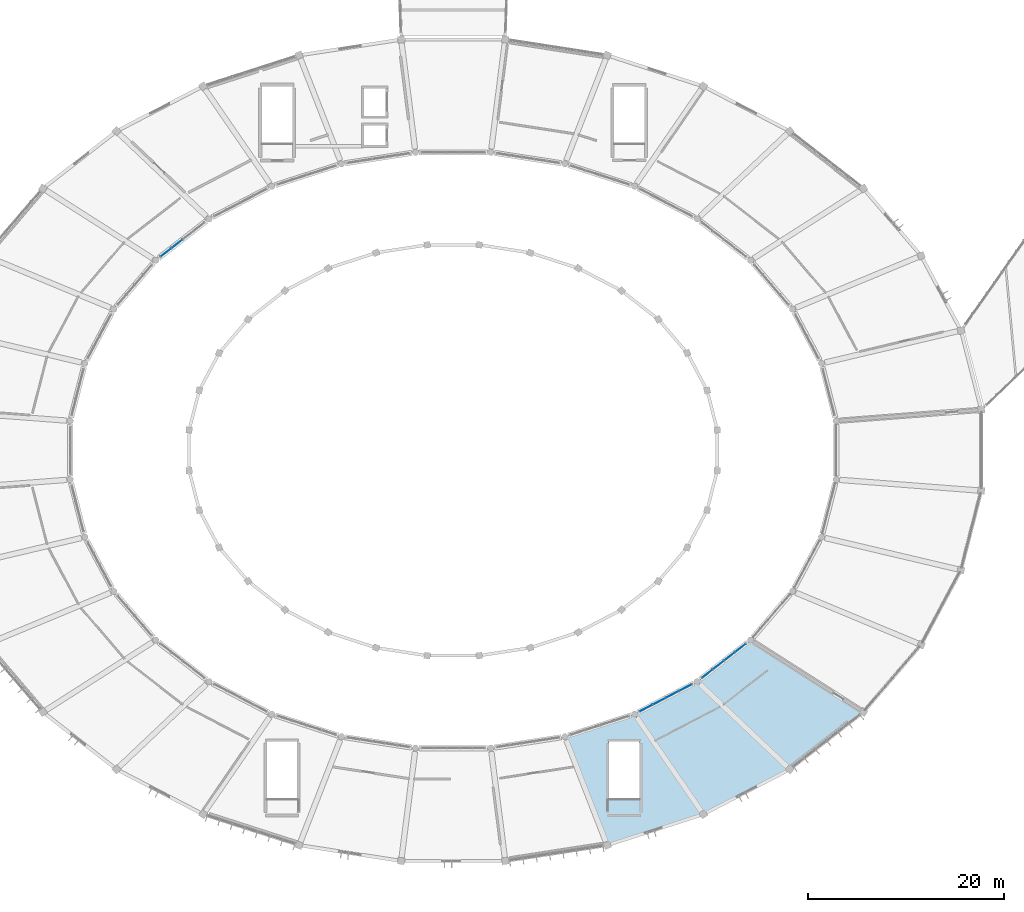
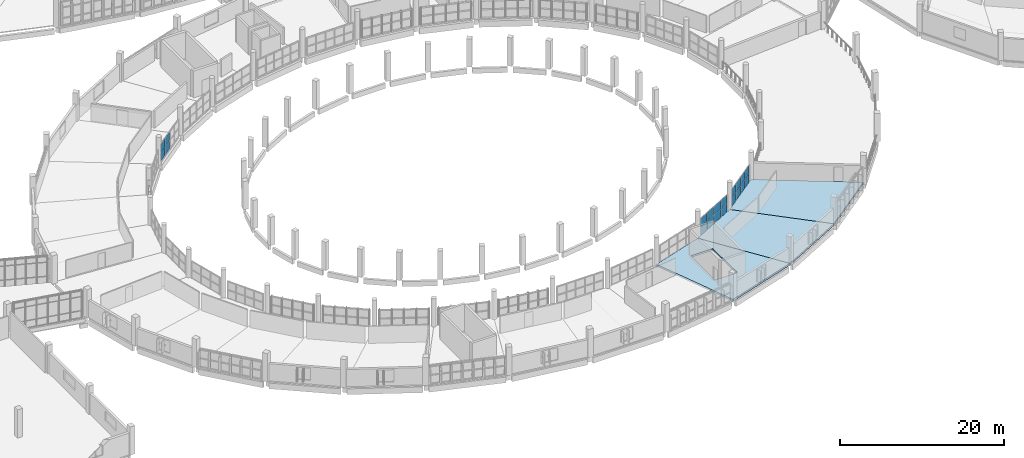
# One storey, part 77 of 142: 20 plates, 3 slabs, 3 elements without a shape of their own.
"""IFC4 building model written with IfcOpenShell, lengths in metres."""

from ifc_helpers import new_model, si_unit, direction, frame, origin, origin_2d, place, context, subcontext, project, spatial, polyline, rectangle, outline, extrude, material, layer, layer_set, type_object, element, aggregate, save


model = new_model("IFC4")

# Units and contexts
model_context = context("Model", 3, precision=1e-05, world=origin(), true_north=direction((0.0, 1.0)))
body_context = subcontext(model_context, "Body", "Model", "MODEL_VIEW")
ifc_project = project(units=[si_unit("LENGTHUNIT", "METRE"), si_unit("AREAUNIT", "SQUARE_METRE"), si_unit("VOLUMEUNIT", "CUBIC_METRE"), si_unit("PLANEANGLEUNIT", "RADIAN"), si_unit("MASSUNIT", "GRAM", prefix="KILO")], contexts=[model_context])

# Site, building, storey
site_placement = place(None, origin())
site = spatial("IfcSite", under=ifc_project, at=site_placement, CompositionType="ELEMENT")
building_placement = place(site_placement, origin())
building = spatial("IfcBuilding", under=site, at=building_placement, Name="Corvandel Quay Wholesale Market", CompositionType="ELEMENT")
storey_placement = place(building_placement, frame((0.0, 0.0, 10.800048828125)))
storey = spatial("IfcBuildingStorey", under=building, at=storey_placement, Name="L02", CompositionType="ELEMENT", Elevation=10.800048828125)

# Slabs
ifc_material_1 = material(Name="Concrete C40/50", Category="concrete")
ifc_layer_1 = layer(ifc_material_1, 0.280029296875)
ifc_layer_set_1 = layer_set([ifc_layer_1], Name="Concrete C40/50")
slab_type = type_object("IfcSlabType", Name="Composite Sorting Gallery Floor Slab 280", PredefinedType="FLOOR", material=ifc_layer_set_1)
slab_1_placement = place(storey_placement, frame((0.0, 0.0, -0.280029296875)))
element("IfcSlab", 1, at=slab_1_placement, inside=storey, type_object=slab_type, Name="Slab SLB-0121", PredefinedType="FLOOR", context=body_context, shape_type="SweptSolid", body=[
    extrude(outline(polyline([(125.419921875, 12.719970703125), (132.5439453125, 15.01611328125), (139.5791015625, 4.780029296875), (129.7509765625, 1.614013671875), (125.419921875, 12.719970703125)]), holes=[polyline([(133.050048828125, 12.199951171875), (129.949951171875, 12.199951171875), (129.949951171875, 6.300048828125), (133.050048828125, 6.300048828125), (133.050048828125, 12.199951171875)])]), origin(), (0.0, 0.0, 1.0), 0.280029296875),
])
slab_2_placement = place(storey_placement, frame((0.0, 0.0, -0.280029296875)))
element("IfcSlab", 2, at=slab_2_placement, inside=storey, type_object=slab_type, Name="Slab SLB-0125", PredefinedType="FLOOR", context=body_context, shape_type="SweptSolid", body=[
    extrude(outline(polyline([(132.5439453125, 15.01611328125), (138.95703125, 18.347900390625), (148.423095703125, 9.3759765625), (139.5791015625, 4.780029296875), (132.5439453125, 15.01611328125)])), origin(), (0.0, 0.0, 1.0), 0.280029296875),
])
slab_3_placement = place(storey_placement, frame((0.0, 0.0, -0.280029296875)))
element("IfcSlab", 3, at=slab_3_placement, inside=storey, type_object=slab_type, Name="Slab SLB-0129", PredefinedType="FLOOR", context=body_context, shape_type="SweptSolid", body=[
    extrude(outline(polyline([(138.95703125, 18.347900390625), (144.409912109375, 22.589111328125), (155.945068359375, 15.22705078125), (148.423095703125, 9.3759765625), (138.95703125, 18.347900390625)])), origin(), (0.0, 0.0, 1.0), 0.280029296875),
])

# Curtain wall, plates
ifc_material_2 = material(Name="Bronze anodised aluminium and low-E insulated glazing", Category="aluminium")
ifc_layer_2 = layer(ifc_material_2, 0.14990234375)
ifc_layer_set_2 = layer_set([ifc_layer_2], Name="Bronze anodised aluminium and low-E insulated glazing")
curtain_wall_type_1 = type_object("IfcCurtainWallType", Name="Stick Curtain Wall System CW05 H3450", PredefinedType="NOTDEFINED", material=ifc_layer_set_2)
curtain_wall_1_placement = place(storey_placement, origin())
curtain_wall_1 = element("IfcCurtainWall", 4, at=curtain_wall_1_placement, inside=storey, type_object=curtain_wall_type_1, Name="Curtain Wall CW-0035", PredefinedType="NOTDEFINED")
ifc_material_3 = material(Name="Solar-control low-E insulated glazing", Category="glass")
ifc_layer_3 = layer(ifc_material_3, 0.028076171875)
ifc_layer_set_3 = layer_set([ifc_layer_3], Name="Solar-control low-E insulated glazing")
plate_type = type_object("IfcPlateType", Name="Double Low-E Vision Panel PN01 28mm", PredefinedType="CURTAIN_PANEL", material=ifc_layer_set_3)
plate_1_placement = place(storey_placement, frame((85.75341796875, 63.093505859375, 0.02978515625), z_axis=(0.0, 0.0, 1.0), x_axis=(0.789405615633, 0.613871952452, 0.0)))
plate_1 = element("IfcPlate", 5, at=plate_1_placement, type_object=plate_type, Name="Glazing Panel CW-0035-P02-0", PredefinedType="CURTAIN_PANEL", context=body_context, shape_type="SweptSolid", body=[
    extrude(rectangle(XDim=1.362060546875, YDim=0.028076171875, at=origin_2d()), origin(), (0.0, 0.0, 1.0), 1.215087890625),
])
plate_2_placement = place(storey_placement, frame((85.75341796875, 63.093505859375, 1.3046875), z_axis=(0.0, 0.0, 1.0), x_axis=(0.789405615633, 0.613871952452, 0.0)))
plate_2 = element("IfcPlate", 6, at=plate_2_placement, type_object=plate_type, Name="Glazing Panel CW-0035-P02-1", PredefinedType="CURTAIN_PANEL", context=body_context, shape_type="SweptSolid", body=[
    extrude(rectangle(XDim=1.362060546875, YDim=0.028076171875, at=origin_2d()), origin(), (0.0, 0.0, 1.0), 1.215087890625),
])
plate_3_placement = place(storey_placement, frame((84.626708984375, 62.21728515625, 0.02978515625), z_axis=(0.0, 0.0, 1.0), x_axis=(0.789405615633, 0.613871952452, 0.0)))
plate_3 = element("IfcPlate", 7, at=plate_3_placement, type_object=plate_type, Name="Glazing Panel CW-0035-P03-0", PredefinedType="CURTAIN_PANEL", context=body_context, shape_type="SweptSolid", body=[
    extrude(rectangle(XDim=1.362060546875, YDim=0.028076171875, at=origin_2d()), origin(), (0.0, 0.0, 1.0), 1.215087890625),
])
plate_4_placement = place(storey_placement, frame((84.626708984375, 62.21728515625, 1.3046875), z_axis=(0.0, 0.0, 1.0), x_axis=(0.789405615633, 0.613871952452, 0.0)))
plate_4 = element("IfcPlate", 8, at=plate_4_placement, type_object=plate_type, Name="Glazing Panel CW-0035-P03-1", PredefinedType="CURTAIN_PANEL", context=body_context, shape_type="SweptSolid", body=[
    extrude(rectangle(XDim=1.362060546875, YDim=0.028076171875, at=origin_2d()), origin(), (0.0, 0.0, 1.0), 1.215087890625),
])
aggregate(curtain_wall_1, [plate_1, plate_2, plate_3, plate_4])

ifc_layer_4 = layer(ifc_material_2, 0.14990234375)
ifc_layer_set_4 = layer_set([ifc_layer_4], Name="Bronze anodised aluminium and low-E insulated glazing")
curtain_wall_type_2 = type_object("IfcCurtainWallType", Name="Stick Curtain Wall System CW20 H4800", PredefinedType="NOTDEFINED", material=ifc_layer_set_4)
curtain_wall_2_placement = place(storey_placement, origin())
curtain_wall_2 = element("IfcCurtainWall", 9, at=curtain_wall_2_placement, inside=storey, type_object=curtain_wall_type_2, Name="Curtain Wall CW-0080", PredefinedType="NOTDEFINED")
plate_5_placement = place(storey_placement, frame((133.744873046875, 15.639892578125, 0.02978515625), z_axis=(0.0, 0.0, 1.0), x_axis=(0.887332978338, 0.461129250378, 0.0)))
plate_5 = element("IfcPlate", 10, at=plate_5_placement, type_object=plate_type, Name="Glazing Panel CW-0080-P00-0", PredefinedType="CURTAIN_PANEL", context=body_context, shape_type="SweptSolid", body=[
    extrude(rectangle(XDim=1.44189453125, YDim=0.028076171875, at=origin_2d()), origin(), (0.0, 0.0, 1.0), 1.215087890625),
])
plate_6_placement = place(storey_placement, frame((133.744873046875, 15.639892578125, 1.3046875), z_axis=(0.0, 0.0, 1.0), x_axis=(0.887332978338, 0.461129250378, 0.0)))
plate_6 = element("IfcPlate", 11, at=plate_6_placement, type_object=plate_type, Name="Glazing Panel CW-0080-P00-1", PredefinedType="CURTAIN_PANEL", context=body_context, shape_type="SweptSolid", body=[
    extrude(rectangle(XDim=1.44189453125, YDim=0.028076171875, at=origin_2d()), origin(), (0.0, 0.0, 1.0), 1.215087890625),
])
plate_7_placement = place(storey_placement, frame((135.08203125, 16.334716796875, 0.02978515625), z_axis=(0.0, 0.0, 1.0), x_axis=(0.887332978338, 0.461129250378, 0.0)))
plate_7 = element("IfcPlate", 12, at=plate_7_placement, type_object=plate_type, Name="Glazing Panel CW-0080-P01-0", PredefinedType="CURTAIN_PANEL", context=body_context, shape_type="SweptSolid", body=[
    extrude(rectangle(XDim=1.44189453125, YDim=0.028076171875, at=origin_2d()), origin(), (0.0, 0.0, 1.0), 1.215087890625),
])
plate_8_placement = place(storey_placement, frame((135.08203125, 16.334716796875, 1.3046875), z_axis=(0.0, 0.0, 1.0), x_axis=(0.887332978338, 0.461129250378, 0.0)))
plate_8 = element("IfcPlate", 13, at=plate_8_placement, type_object=plate_type, Name="Glazing Panel CW-0080-P01-1", PredefinedType="CURTAIN_PANEL", context=body_context, shape_type="SweptSolid", body=[
    extrude(rectangle(XDim=1.44189453125, YDim=0.028076171875, at=origin_2d()), origin(), (0.0, 0.0, 1.0), 1.215087890625),
])
plate_9_placement = place(storey_placement, frame((136.4189453125, 17.029296875, 0.02978515625), z_axis=(0.0, 0.0, 1.0), x_axis=(0.887332978338, 0.461129250378, 0.0)))
plate_9 = element("IfcPlate", 14, at=plate_9_placement, type_object=plate_type, Name="Glazing Panel CW-0080-P02-0", PredefinedType="CURTAIN_PANEL", context=body_context, shape_type="SweptSolid", body=[
    extrude(rectangle(XDim=1.44189453125, YDim=0.028076171875, at=origin_2d()), origin(), (0.0, 0.0, 1.0), 1.215087890625),
])
plate_10_placement = place(storey_placement, frame((136.4189453125, 17.029296875, 1.3046875), z_axis=(0.0, 0.0, 1.0), x_axis=(0.887332978338, 0.461129250378, 0.0)))
plate_10 = element("IfcPlate", 15, at=plate_10_placement, type_object=plate_type, Name="Glazing Panel CW-0080-P02-1", PredefinedType="CURTAIN_PANEL", context=body_context, shape_type="SweptSolid", body=[
    extrude(rectangle(XDim=1.44189453125, YDim=0.028076171875, at=origin_2d()), origin(), (0.0, 0.0, 1.0), 1.215087890625),
])
plate_11_placement = place(storey_placement, frame((137.756103515625, 17.72412109375, 0.02978515625), z_axis=(0.0, 0.0, 1.0), x_axis=(0.887332978338, 0.461129250378, 0.0)))
plate_11 = element("IfcPlate", 16, at=plate_11_placement, type_object=plate_type, Name="Glazing Panel CW-0080-P03-0", PredefinedType="CURTAIN_PANEL", context=body_context, shape_type="SweptSolid", body=[
    extrude(rectangle(XDim=1.44189453125, YDim=0.028076171875, at=origin_2d()), origin(), (0.0, 0.0, 1.0), 1.215087890625),
])
plate_12_placement = place(storey_placement, frame((137.756103515625, 17.72412109375, 1.3046875), z_axis=(0.0, 0.0, 1.0), x_axis=(0.887332978338, 0.461129250378, 0.0)))
plate_12 = element("IfcPlate", 17, at=plate_12_placement, type_object=plate_type, Name="Glazing Panel CW-0080-P03-1", PredefinedType="CURTAIN_PANEL", context=body_context, shape_type="SweptSolid", body=[
    extrude(rectangle(XDim=1.44189453125, YDim=0.028076171875, at=origin_2d()), origin(), (0.0, 0.0, 1.0), 1.215087890625),
])
aggregate(curtain_wall_2, [plate_5, plate_6, plate_7, plate_8, plate_9, plate_10, plate_11, plate_12])

ifc_layer_5 = layer(ifc_material_2, 0.162109375)
ifc_layer_set_5 = layer_set([ifc_layer_5], Name="Bronze anodised aluminium and low-E insulated glazing")
curtain_wall_type_3 = type_object("IfcCurtainWallType", Name="Stick Curtain Wall System CW21 H4890", PredefinedType="NOTDEFINED", material=ifc_layer_set_5)
curtain_wall_3_placement = place(storey_placement, origin())
curtain_wall_3 = element("IfcCurtainWall", 18, at=curtain_wall_3_placement, inside=storey, type_object=curtain_wall_type_3, Name="Curtain Wall CW-0083", PredefinedType="NOTDEFINED")
plate_13_placement = place(storey_placement, frame((139.993896484375, 19.154296875, 0.02978515625), z_axis=(0.0, 0.0, 1.0), x_axis=(0.789405615633, 0.613871952452, 0.0)))
plate_13 = element("IfcPlate", 19, at=plate_13_placement, type_object=plate_type, Name="Glazing Panel CW-0083-P00-0", PredefinedType="CURTAIN_PANEL", context=body_context, shape_type="SweptSolid", body=[
    extrude(rectangle(XDim=1.362060546875, YDim=0.028076171875, at=origin_2d()), origin(), (0.0, 0.0, 1.0), 1.215087890625),
])
plate_14_placement = place(storey_placement, frame((139.993896484375, 19.154296875, 1.3046875), z_axis=(0.0, 0.0, 1.0), x_axis=(0.789405615633, 0.613871952452, 0.0)))
plate_14 = element("IfcPlate", 20, at=plate_14_placement, type_object=plate_type, Name="Glazing Panel CW-0083-P00-1", PredefinedType="CURTAIN_PANEL", context=body_context, shape_type="SweptSolid", body=[
    extrude(rectangle(XDim=1.362060546875, YDim=0.028076171875, at=origin_2d()), origin(), (0.0, 0.0, 1.0), 1.215087890625),
])
plate_15_placement = place(storey_placement, frame((141.120361328125, 20.030517578125, 0.02978515625), z_axis=(0.0, 0.0, 1.0), x_axis=(0.789405615633, 0.613871952452, 0.0)))
plate_15 = element("IfcPlate", 21, at=plate_15_placement, type_object=plate_type, Name="Glazing Panel CW-0083-P01-0", PredefinedType="CURTAIN_PANEL", context=body_context, shape_type="SweptSolid", body=[
    extrude(rectangle(XDim=1.362060546875, YDim=0.028076171875, at=origin_2d()), origin(), (0.0, 0.0, 1.0), 1.215087890625),
])
plate_16_placement = place(storey_placement, frame((141.120361328125, 20.030517578125, 1.3046875), z_axis=(0.0, 0.0, 1.0), x_axis=(0.789405615633, 0.613871952452, 0.0)))
plate_16 = element("IfcPlate", 22, at=plate_16_placement, type_object=plate_type, Name="Glazing Panel CW-0083-P01-1", PredefinedType="CURTAIN_PANEL", context=body_context, shape_type="SweptSolid", body=[
    extrude(rectangle(XDim=1.362060546875, YDim=0.028076171875, at=origin_2d()), origin(), (0.0, 0.0, 1.0), 1.215087890625),
])
plate_17_placement = place(storey_placement, frame((142.24658203125, 20.906494140625, 0.02978515625), z_axis=(0.0, 0.0, 1.0), x_axis=(0.789405615633, 0.613871952452, 0.0)))
plate_17 = element("IfcPlate", 23, at=plate_17_placement, type_object=plate_type, Name="Glazing Panel CW-0083-P02-0", PredefinedType="CURTAIN_PANEL", context=body_context, shape_type="SweptSolid", body=[
    extrude(rectangle(XDim=1.362060546875, YDim=0.028076171875, at=origin_2d()), origin(), (0.0, 0.0, 1.0), 1.215087890625),
])
plate_18_placement = place(storey_placement, frame((142.24658203125, 20.906494140625, 1.3046875), z_axis=(0.0, 0.0, 1.0), x_axis=(0.789405615633, 0.613871952452, 0.0)))
plate_18 = element("IfcPlate", 24, at=plate_18_placement, type_object=plate_type, Name="Glazing Panel CW-0083-P02-1", PredefinedType="CURTAIN_PANEL", context=body_context, shape_type="SweptSolid", body=[
    extrude(rectangle(XDim=1.362060546875, YDim=0.028076171875, at=origin_2d()), origin(), (0.0, 0.0, 1.0), 1.215087890625),
])
plate_19_placement = place(storey_placement, frame((143.373291015625, 21.78271484375, 0.02978515625), z_axis=(0.0, 0.0, 1.0), x_axis=(0.789405615633, 0.613871952452, 0.0)))
plate_19 = element("IfcPlate", 25, at=plate_19_placement, type_object=plate_type, Name="Glazing Panel CW-0083-P03-0", PredefinedType="CURTAIN_PANEL", context=body_context, shape_type="SweptSolid", body=[
    extrude(rectangle(XDim=1.362060546875, YDim=0.028076171875, at=origin_2d()), origin(), (0.0, 0.0, 1.0), 1.215087890625),
])
plate_20_placement = place(storey_placement, frame((143.373291015625, 21.78271484375, 1.3046875), z_axis=(0.0, 0.0, 1.0), x_axis=(0.789405615633, 0.613871952452, 0.0)))
plate_20 = element("IfcPlate", 26, at=plate_20_placement, type_object=plate_type, Name="Glazing Panel CW-0083-P03-1", PredefinedType="CURTAIN_PANEL", context=body_context, shape_type="SweptSolid", body=[
    extrude(rectangle(XDim=1.362060546875, YDim=0.028076171875, at=origin_2d()), origin(), (0.0, 0.0, 1.0), 1.215087890625),
])
aggregate(curtain_wall_3, [plate_13, plate_14, plate_15, plate_16, plate_17, plate_18, plate_19, plate_20])

save(model, "model.ifc")
